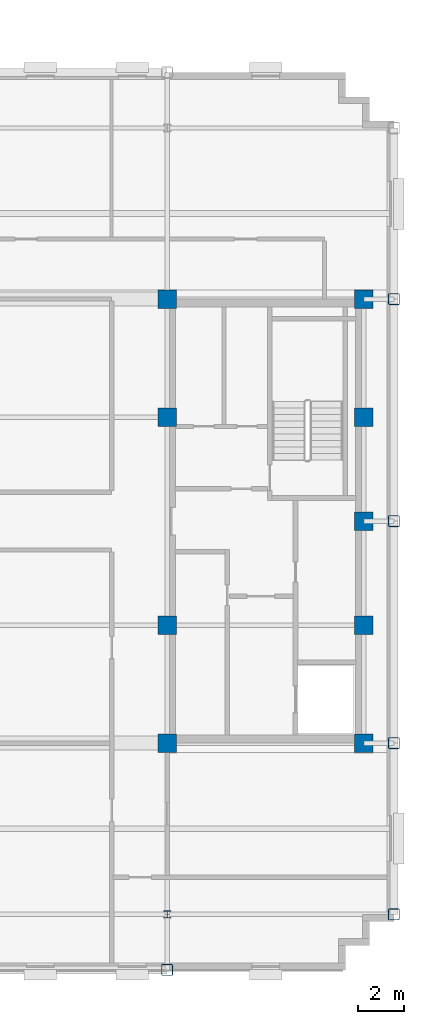
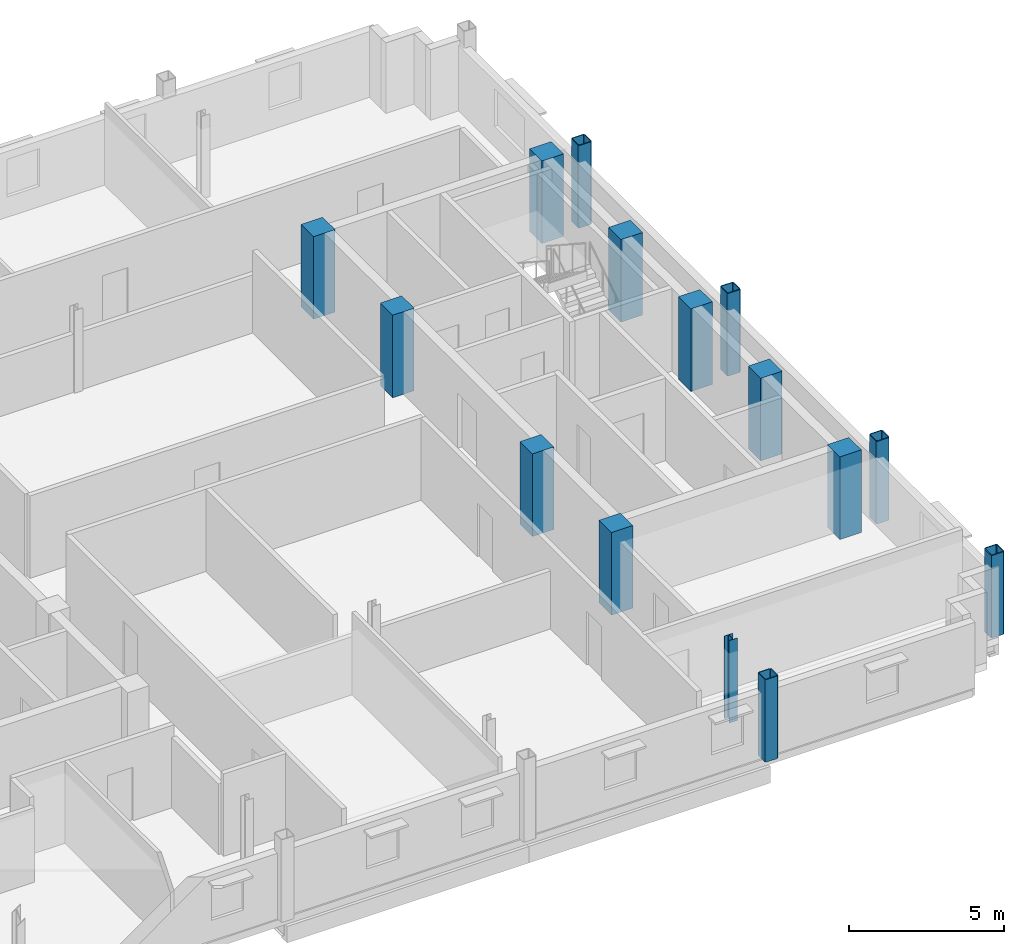
# One storey, part 2 of 14: 15 columns.
"""IFC4 building model written with IfcOpenShell, lengths in metres."""

from ifc_helpers import new_model, si_unit, direction, frame, origin, origin_2d, place, context, subcontext, project, spatial, rectangle, hollow_rectangle, i_section, extrude, material, material_profile, profile_set, type_object, element, save


model = new_model("IFC4")

# Units and contexts
model_context = context("Model", 3, precision=1e-05, world=origin(), true_north=direction((0.0, 1.0)))
body_context = subcontext(model_context, "Body", "Model", "MODEL_VIEW")
ifc_project = project(units=[si_unit("LENGTHUNIT", "METRE"), si_unit("AREAUNIT", "SQUARE_METRE"), si_unit("VOLUMEUNIT", "CUBIC_METRE"), si_unit("PLANEANGLEUNIT", "RADIAN"), si_unit("MASSUNIT", "GRAM", prefix="KILO")], contexts=[model_context])

# Site, building, storey
site_placement = place(None, origin())
site = spatial("IfcSite", under=ifc_project, at=site_placement, CompositionType="ELEMENT")
building_placement = place(site_placement, origin())
building = spatial("IfcBuilding", under=site, at=building_placement, Name="Nuvemarco Arch Tower", CompositionType="ELEMENT")
storey_placement = place(building_placement, frame((0.0, 0.0, 242.0)))
storey = spatial("IfcBuildingStorey", under=building, at=storey_placement, Name="L64", CompositionType="ELEMENT", Elevation=242.0)

# Columns
ifc_material_1 = material(Name="Concrete C50/60", Category="concrete")
ifc_material_profile_1 = material_profile(ifc_material_1, rectangle(XDim=0.800048828125, YDim=0.800048828125, at=origin_2d()), Name="RC-COL-800x800")
ifc_profile_set_1 = profile_set([ifc_material_profile_1], Name="Concrete C50/60")
column_type_1 = type_object("IfcColumnType", Name="COL-CORE-800", PredefinedType="COLUMN", material=ifc_profile_set_1)
for number, where, z_axis, x_axis, name in (
    (1, (9.0, -9.60009765625, 0.0), (0.0, 0.0, 1.0), (1.0, 0.0, 0.0), "L64 column CC_+9.0_-9.6"),
    (2, (9.0, -4.5, 0.0), (0.0, 0.0, 1.0), (1.0, 0.0, 0.0), "L64 column CC_+9.0_-4.5"),
    (3, (9.0, 4.5, 0.0), (0.0, 0.0, 1.0), (1.0, 0.0, 0.0), "L64 column CC_+9.0_+4.5"),
    (4, (9.0, 9.60009765625, 0.0), (0.0, 0.0, 1.0), (1.0, 0.0, 0.0), "L64 column CC_+9.0_+9.6"),
    (5, (17.5, -9.60009765625, 0.0), (0.0, 0.0, 1.0), (1.0, 0.0, 0.0), "L64 column CC_+17.5_-9.6"),
    (6, (17.5, -4.5, 0.0), (0.0, 0.0, 1.0), (1.0, 0.0, 0.0), "L64 column CC_+17.5_-4.5"),
    (7, (17.5, 4.5, 0.0), (0.0, 0.0, 1.0), (1.0, 0.0, 0.0), "L64 column CC_+17.5_+4.5"),
    (8, (17.5, 9.60009765625, 0.0), (0.0, 0.0, 1.0), (1.0, 0.0, 0.0), "L64 column CC_+17.5_+9.6"),
    (9, (17.5, 0.0, 0.0), (0.0, 0.0, 1.0), (1.0, 0.0, 0.0), "L64 column CC_+17.5_+0.0"),
):
    element("IfcColumn", number, at=place(storey_placement, frame(where, z_axis=z_axis, x_axis=x_axis)), inside=storey, type_object=column_type_1, Name=name, PredefinedType="COLUMN", context=body_context, shape_type="SweptSolid", body=[
        extrude(rectangle(XDim=0.800048828125, YDim=0.800048828125, at=origin_2d()), origin(), (0.0, 0.0, 1.0), 3.25),
    ])
ifc_material_2 = material(Name="Steel S355", Category="steel")
ifc_material_profile_2 = material_profile(ifc_material_2, hollow_rectangle(XDim=0.5, YDim=0.5, WallThickness=0.031982421875, InnerFilletRadius=0.031982421875, OuterFilletRadius=0.06396484375, at=origin_2d()), Name="SHS500x500x32")
ifc_profile_set_2 = profile_set([ifc_material_profile_2], Name="Steel S355")
column_type_2 = type_object("IfcColumnType", Name="COL-EXO-500", PredefinedType="COLUMN", material=ifc_profile_set_2)
for number, where, z_axis, x_axis, name in (
    (10, (18.800048828125, -17.0, 0.0), (0.0, 0.0, 1.0), (1.0, 0.0, 0.0), "L64 column CX_+18.8_-17.0"),
    (11, (18.800048828125, -9.60009765625, 0.0), (0.0, 0.0, 1.0), (1.0, 0.0, 0.0), "L64 column CX_+18.8_-9.6"),
    (12, (18.800048828125, 0.0, 0.0), (0.0, 0.0, 1.0), (1.0, 0.0, 0.0), "L64 column CX_+18.8_+0.0"),
    (13, (18.800048828125, 9.60009765625, 0.0), (0.0, 0.0, 1.0), (1.0, 0.0, 0.0), "L64 column CX_+18.8_+9.6"),
    (14, (9.0, -19.39990234375, 0.0), (0.0, 0.0, 1.0), (1.0, 0.0, 0.0), "L64 column CY_+9.0_-19.4"),
):
    element("IfcColumn", number, at=place(storey_placement, frame(where, z_axis=z_axis, x_axis=x_axis)), inside=storey, type_object=column_type_2, Name=name, PredefinedType="COLUMN", context=body_context, shape_type="SweptSolid", body=[
        extrude(hollow_rectangle(XDim=0.5, YDim=0.5, WallThickness=0.031982421875, InnerFilletRadius=0.031982421875, OuterFilletRadius=0.06396484375, at=origin_2d()), origin(), (0.0, 0.0, 1.0), 3.25),
    ])
ifc_material_profile_3 = material_profile(ifc_material_2, i_section(OverallWidth=0.31005859375, OverallDepth=0.31005859375, WebThickness=0.015380859375, FlangeThickness=0.015380859375, FilletRadius=0.014892578125, at=origin_2d()), Name="HP310x110")
ifc_profile_set_3 = profile_set([ifc_material_profile_3], Name="Steel S355")
column_type_3 = type_object("IfcColumnType", Name="COL-STL-HP310", PredefinedType="COLUMN", material=ifc_profile_set_3)
column_placement = place(storey_placement, frame((9.0, -17.0, 0.0), z_axis=(0.0, 0.0, 1.0), x_axis=(1.0, 0.0, 0.0)))
element("IfcColumn", 15, at=column_placement, inside=storey, type_object=column_type_3, Name="L64 column CI_+9.0_-17.0", PredefinedType="COLUMN", context=body_context, shape_type="SweptSolid", body=[
    extrude(i_section(OverallWidth=0.31005859375, OverallDepth=0.31005859375, WebThickness=0.015380859375, FlangeThickness=0.015380859375, FilletRadius=0.014892578125, at=origin_2d()), origin(), (0.0, 0.0, 1.0), 3.25),
])

save(model, "model.ifc")
